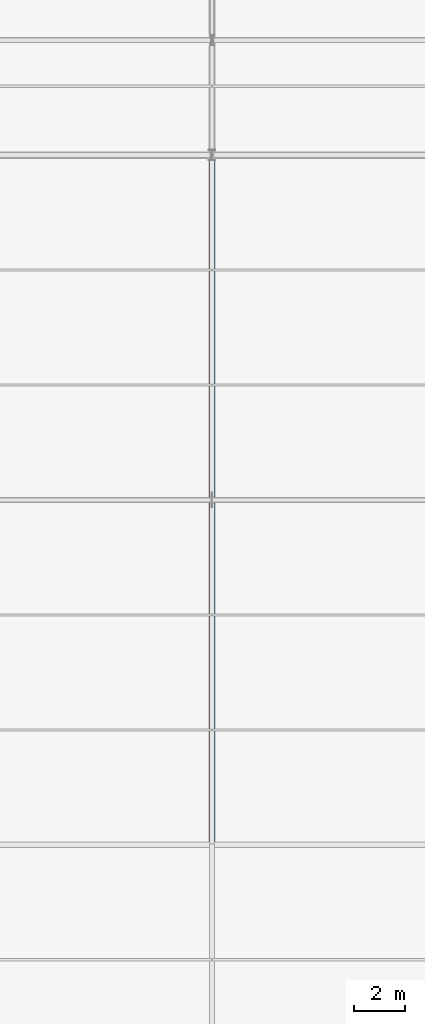
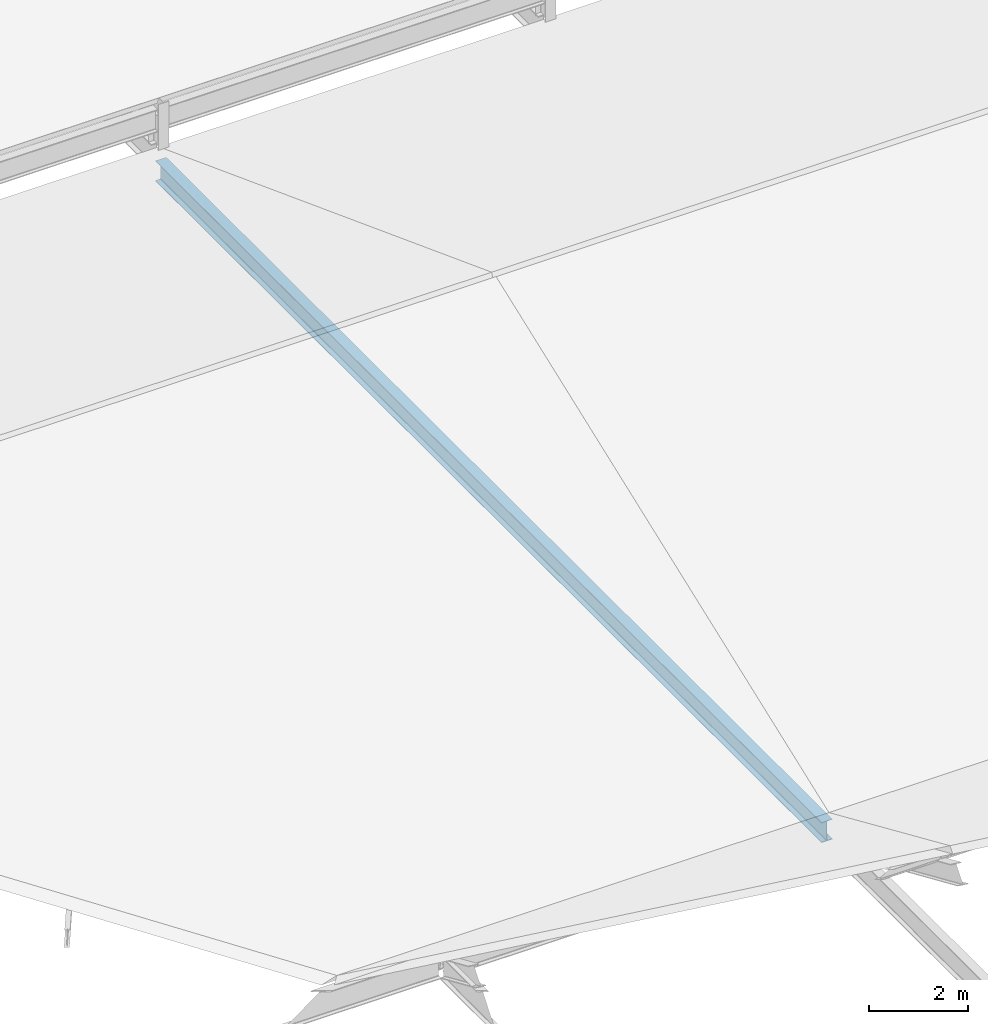
# One storey, part 31 of 163: 1 beam.
"""IFC4 building model written with IfcOpenShell, lengths in metres."""

from ifc_helpers import new_model, si_unit, direction, frame, origin, origin_2d, place, context, subcontext, project, spatial, i_section, extrude, material, material_profile, profile_set, type_object, element, save


model = new_model("IFC4")

# Units and contexts
model_context = context("Model", 3, precision=1e-05, world=origin(), true_north=direction((0.0, 1.0)))
body_context = subcontext(model_context, "Body", "Model", "MODEL_VIEW")
ifc_project = project(units=[si_unit("LENGTHUNIT", "METRE"), si_unit("AREAUNIT", "SQUARE_METRE"), si_unit("VOLUMEUNIT", "CUBIC_METRE"), si_unit("PLANEANGLEUNIT", "RADIAN"), si_unit("MASSUNIT", "GRAM", prefix="KILO")], contexts=[model_context])

# Site, building, storey
site_placement = place(None, origin())
site = spatial("IfcSite", under=ifc_project, at=site_placement, CompositionType="ELEMENT")
building_placement = place(site_placement, origin())
building = spatial("IfcBuilding", under=site, at=building_placement, Name="Tharagai Park Tramway Depot", CompositionType="ELEMENT")
storey_placement = place(building_placement, frame((0.0, 0.0, 8.39990234375)))
storey = spatial("IfcBuildingStorey", under=building, at=storey_placement, Name="L02", CompositionType="ELEMENT", Elevation=8.39990234375)

# Beam
ifc_material = material(Name="Steel E350", Category="steel")
ifc_material_profile = material_profile(ifc_material, i_section(OverallWidth=0.25, OverallDepth=0.5, WebThickness=0.010009765625, FlangeThickness=0.0146484375, FilletRadius=0.014892578125, at=origin_2d()), Name="ISWB 500")
ifc_profile_set = profile_set([ifc_material_profile], Name="Steel E350")
beam_type = type_object("IfcBeamType", Name="BM-08", PredefinedType="BEAM", material=ifc_profile_set)
beam_placement = place(storey_placement, frame((18.0, 63.080078125, -0.5), z_axis=(0.0, 1.0, 0.0), x_axis=(-1.0, 0.0, 0.0)))
element("IfcBeam", 1, at=beam_placement, inside=storey, type_object=beam_type, Name="V2B Gable Tie Girder BM-08", PredefinedType="BEAM", context=body_context, shape_type="SweptSolid", body=[
    extrude(i_section(OverallWidth=0.25, OverallDepth=0.5, WebThickness=0.010009765625, FlangeThickness=0.0146484375, FilletRadius=0.014892578125, at=origin_2d()), origin(), (0.0, 0.0, 1.0), 26.83984375),
])

save(model, "model.ifc")
